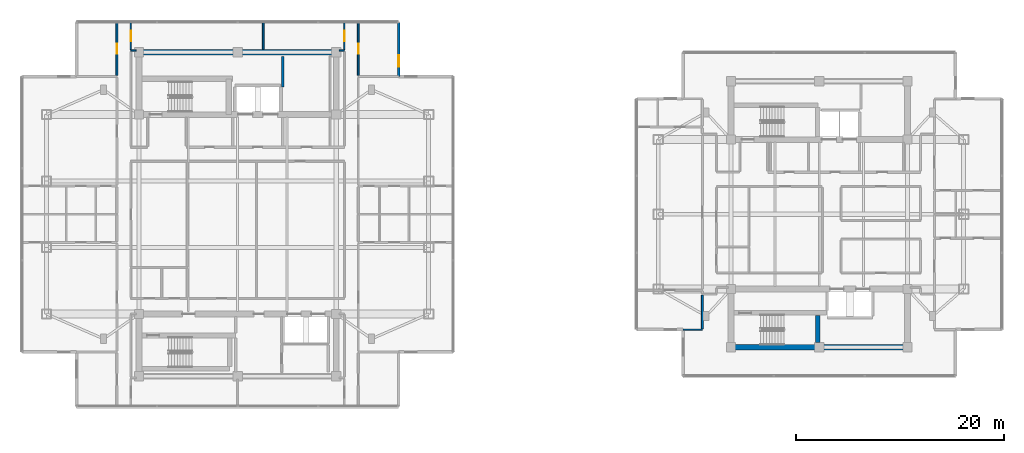
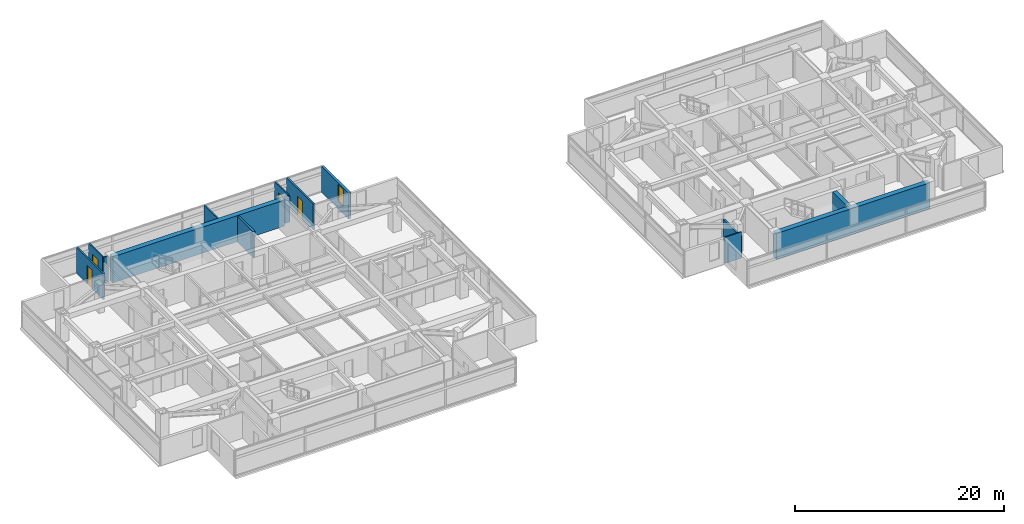
# One storey, part 15 of 24: 14 walls, 4 doors, 1 window, 5 openings.
"""IFC4 building model written with IfcOpenShell, lengths in metres."""

from ifc_helpers import new_model, si_unit, direction, frame, frame_2d, origin, place, context, subcontext, project, spatial, rectangle, extrude, material, layer, layer_set, type_object, element, fill, save


model = new_model("IFC4")

# Units and contexts
model_context = context("Model", 3, precision=1e-05, world=origin(), true_north=direction((0.0, 1.0)))
body_context = subcontext(model_context, "Body", "Model", "MODEL_VIEW")
ifc_project = project(units=[si_unit("LENGTHUNIT", "METRE"), si_unit("AREAUNIT", "SQUARE_METRE"), si_unit("VOLUMEUNIT", "CUBIC_METRE"), si_unit("PLANEANGLEUNIT", "RADIAN"), si_unit("MASSUNIT", "GRAM", prefix="KILO")], contexts=[model_context])

# Site, building, storey
site_placement = place(None, origin())
site = spatial("IfcSite", under=ifc_project, at=site_placement, CompositionType="ELEMENT")
building_placement = place(site_placement, origin())
building = spatial("IfcBuilding", under=site, at=building_placement, Name="Mirazonda Arch Towers", CompositionType="ELEMENT")
storey_placement = place(building_placement, frame((0.0, 0.0, 199.89990234375)))
storey = spatial("IfcBuildingStorey", under=building, at=storey_placement, Name="L57", CompositionType="ELEMENT", Elevation=199.89990234375)

# Walls
ifc_material_1 = material(Name="Concrete C50/60", Category="concrete")
ifc_layer_1 = layer(ifc_material_1, 0.449951171875, Name="WALL-CORE-450")
ifc_layer_set_1 = layer_set([ifc_layer_1], Name="Concrete C50/60")
wall_type_1 = type_object("IfcWallType", Name="WALL-CORE-450", PredefinedType="SHEAR", material=ifc_layer_set_1)
wall_1_placement = place(storey_placement, frame((76.360107421875, 15.6650390625, 0.0), z_axis=(0.0, 0.0, 1.0), x_axis=(0.0, 1.0, 0.0)))
element("IfcWall", 1, at=wall_1_placement, inside=storey, type_object=wall_type_1, Name="L57 Stair Core Shear Wall 123", PredefinedType="SHEAR", context=body_context, shape_type="SweptSolid", body=[
    extrude(rectangle(XDim=2.599853515625, YDim=0.449951171875, at=frame_2d((1.2998046875, 0.0))), origin(), (0.0, 0.0, 1.0), 3.050048828125),
])
ifc_layer_2 = layer(ifc_material_1, 0.550048828125, Name="WALL-CORE-550")
ifc_layer_set_2 = layer_set([ifc_layer_2], Name="Concrete C50/60")
wall_type_2 = type_object("IfcWallType", Name="WALL-CORE-550", PredefinedType="SHEAR", material=ifc_layer_set_2)
wall_2_placement = place(storey_placement, frame((11.0, 43.60009765625, 0.0), z_axis=(0.0, 0.0, 1.0), x_axis=(1.0, 0.0, 0.0)))
element("IfcWall", 2, at=wall_2_placement, inside=storey, type_object=wall_type_2, Name="L57 T1N-N Core Shear Wall", PredefinedType="SHEAR", context=body_context, shape_type="SweptSolid", body=[
    extrude(rectangle(XDim=19.0, YDim=0.550048828125, at=frame_2d((9.5, 0.0))), origin(), (0.0, 0.0, 1.0), 3.050048828125),
])
wall_3_placement = place(storey_placement, frame((68.0, 15.199951171875, 0.0), z_axis=(0.0, 0.0, 1.0), x_axis=(1.0, 0.0, 0.0)))
element("IfcWall", 3, at=wall_3_placement, inside=storey, type_object=wall_type_2, Name="L57 T2S-S Core Shear Wall", PredefinedType="SHEAR", context=body_context, shape_type="SweptSolid", body=[
    extrude(rectangle(XDim=17.0, YDim=0.550048828125, at=frame_2d((8.5, 0.0))), origin(), (0.0, 0.0, 1.0), 3.050048828125),
])

# Wall, opening, window
ifc_material_2 = material(Name="Precast Concrete C40/50", Category="concrete")
ifc_layer_3 = layer(ifc_material_2, 0.280029296875, Name="WALL-EXT-WALL-280")
ifc_layer_set_3 = layer_set([ifc_layer_3], Name="Precast Concrete C40/50")
wall_type_3 = type_object("IfcWallType", Name="WALL-EXT-WALL-280", PredefinedType="SOLIDWALL", material=ifc_layer_set_3)
wall_4_placement = place(storey_placement, frame((36.014892578125, 41.264892578125, 0.0), z_axis=(0.0, 0.0, 1.0), x_axis=(0.0, 1.0, 0.0)))
wall_4 = element("IfcWall", 4, at=wall_4_placement, inside=storey, type_object=wall_type_3, Name="L57 T1 Notched NE Corner Wall WL-L57-T1-CNE", PredefinedType="SOLIDWALL", context=body_context, shape_type="SweptSolid", body=[
    extrude(rectangle(XDim=5.215087890625, YDim=0.280029296875, at=frame_2d((2.607421875, 0.0))), origin(), (0.0, 0.0, 1.0), 3.030029296875),
])
opening_1_placement = place(wall_4_placement, frame((0.949951171875, 0.0, 0.85009765625)))
opening_1 = element("IfcOpeningElement", 5, at=opening_1_placement, cuts=wall_4, Name="Opening WN-108", PredefinedType="OPENING", context=body_context, shape_type="SweptSolid", body=[
    extrude(rectangle(XDim=1.10009765625, YDim=2.0, at=frame_2d((0.550048828125, 1.0))), frame((0.0, 0.14990234375, 0.0), z_axis=(0.0, -1.0, 0.0), x_axis=(1.0, 0.0, 0.0)), (0.0, 0.0, 1.0), 0.300048828125),
])
ifc_material_3 = material(Name="Insulated Low-E Solar Glass", Category="glass")
window_type = type_object("IfcWindowType", Name="WIN-NOTCH-1100x2000", PartitioningType="SINGLE_PANEL", PredefinedType="WINDOW", material=ifc_material_3)
window_placement = place(opening_1_placement, origin())
window = element("IfcWindow", 6, at=window_placement, inside=storey, type_object=window_type, Name="L57 Punched Facade Window WN-L57-T1-CNE", OverallHeight=2.0, OverallWidth=1.10009765625, PartitioningType="SINGLE_PANEL", PredefinedType="WINDOW", context=body_context, shape_type="SweptSolid", body=[
    extrude(rectangle(XDim=1.10009765625, YDim=2.0, at=frame_2d((0.550048828125, 1.0))), frame((0.0, 0.030029296875, 0.0), z_axis=(0.0, -1.0, 0.0), x_axis=(1.0, 0.0, 0.0)), (0.0, 0.0, 1.0), 0.06005859375),
])
fill(opening_1, window)

# Walls
ifc_material_4 = material(Name="Concrete C40/50", Category="concrete")
ifc_layer_4 = layer(ifc_material_4, 0.219970703125, Name="WALL-FFL-220")
ifc_layer_set_4 = layer_set([ifc_layer_4], Name="Concrete C40/50")
wall_type_4 = type_object("IfcWallType", Name="WALL-FFL-220", PredefinedType="SOLIDWALL", material=ifc_layer_set_4)
wall_5_placement = place(storey_placement, frame((24.85009765625, 40.260009765625, 0.0), z_axis=(0.0, 0.0, 1.0), x_axis=(0.0, 1.0, 0.0)))
element("IfcWall", 7, at=wall_5_placement, inside=storey, type_object=wall_type_4, Name="L57 Interior Partition 087", PredefinedType="SOLIDWALL", context=body_context, shape_type="SweptSolid", body=[
    extrude(rectangle(XDim=2.93994140625, YDim=0.219970703125, at=frame_2d((1.469970703125, 0.0))), origin(), (0.0, 0.0, 1.0), 3.050048828125),
])
ifc_material_5 = material(Name="Fire-Rated Gypsum Stud Partition")
ifc_layer_5 = layer(ifc_material_5, 0.14990234375, Name="WALL-PART-CORR-150")
ifc_layer_set_5 = layer_set([ifc_layer_5], Name="Fire-Rated Gypsum Stud Partition")
wall_type_5 = type_object("IfcWallType", Name="WALL-PART-CORR-150", PredefinedType="PARTITIONING", material=ifc_layer_set_5)
for number, where, z_axis, x_axis, name in (
    (8, (10.219970703125, 43.75, 0.0), (0.0, 0.0, 1.0), (1.0, 0.0, 0.0), "L57 Interior Partition 052"),
    (9, (30.27001953125, 43.75, 0.0), (0.0, 0.0, 1.0), (1.0, 0.0, 0.0), "L57 Interior Partition 053"),
):
    element("IfcWall", number, at=place(storey_placement, frame(where, z_axis=z_axis, x_axis=x_axis)), inside=storey, type_object=wall_type_5, Name=name, PredefinedType="PARTITIONING", context=body_context, shape_type="SweptSolid", body=[
        extrude(rectangle(XDim=0.510009765625, YDim=0.14990234375, at=frame_2d((0.2548828125, 0.0))), origin(), (0.0, 0.0, 1.0), 3.050048828125),
    ])

# Wall, opening, door
wall_6_placement = place(storey_placement, frame((10.219970703125, 43.8349609375, 0.0), z_axis=(0.0, 0.0, 1.0), x_axis=(0.0, 1.0, 0.0)))
wall_6 = element("IfcWall", 10, at=wall_6_placement, inside=storey, type_object=wall_type_5, Name="L57 Interior Partition 069", PredefinedType="PARTITIONING", context=body_context, shape_type="SweptSolid", body=[
    extrude(rectangle(XDim=2.64501953125, YDim=0.14990234375, at=frame_2d((1.322509765625, 0.0))), origin(), (0.0, 0.0, 1.0), 3.050048828125),
])
opening_2_placement = place(wall_6_placement, frame((0.797607421875, 0.0, 0.0)))
opening_2 = element("IfcOpeningElement", 11, at=opening_2_placement, cuts=wall_6, Name="Opening DR-121", PredefinedType="OPENING", context=body_context, shape_type="SweptSolid", body=[
    extrude(rectangle(XDim=1.050048828125, YDim=2.199951171875, at=frame_2d((0.52490234375, 1.10009765625))), frame((0.0, 0.0849609375, 0.0), z_axis=(0.0, -1.0, 0.0), x_axis=(1.0, 0.0, 0.0)), (0.0, 0.0, 1.0), 0.169921875),
])
ifc_material_6 = material(Name="Architectural Brushed Steel S355", Category="steel")
door_type_1 = type_object("IfcDoorType", Name="DOOR-SUITE-FD60-1050", OperationType="NOTDEFINED", PredefinedType="DOOR", material=ifc_material_6)
door_1_placement = place(opening_2_placement, origin())
door_1 = element("IfcDoor", 12, at=door_1_placement, inside=storey, type_object=door_type_1, Name="L57 North Bay Sunroom West Door", OperationType="SINGLE_SWING_LEFT", OverallHeight=2.199951171875, OverallWidth=1.050048828125, PredefinedType="DOOR", context=body_context, shape_type="SweptSolid", body=[
    extrude(rectangle(XDim=1.050048828125, YDim=2.199951171875, at=frame_2d((0.52490234375, 1.10009765625))), frame((0.0, 0.02490234375, 0.0), z_axis=(0.0, -1.0, 0.0), x_axis=(1.0, 0.0, 0.0)), (0.0, 0.0, 1.0), 0.050048828125),
])
fill(opening_2, door_1)

# Wall
wall_7_placement = place(storey_placement, frame((22.967041015625, 43.8701171875, 0.0), z_axis=(0.0, 0.0, 1.0), x_axis=(0.0, 1.0, 0.0)))
element("IfcWall", 13, at=wall_7_placement, inside=storey, type_object=wall_type_5, Name="L57 Interior Partition 082", PredefinedType="PARTITIONING", context=body_context, shape_type="SweptSolid", body=[
    extrude(rectangle(XDim=2.60986328125, YDim=0.14990234375, at=frame_2d((1.304931640625, 0.0))), origin(), (0.0, 0.0, 1.0), 3.050048828125),
])

# Wall, opening, door
wall_8_placement = place(storey_placement, frame((30.780029296875, 43.8349609375, 0.0), z_axis=(0.0, 0.0, 1.0), x_axis=(0.0, 1.0, 0.0)))
wall_8 = element("IfcWall", 14, at=wall_8_placement, inside=storey, type_object=wall_type_5, Name="L57 Interior Partition 096", PredefinedType="PARTITIONING", context=body_context, shape_type="SweptSolid", body=[
    extrude(rectangle(XDim=2.64501953125, YDim=0.14990234375, at=frame_2d((1.322509765625, 0.0))), origin(), (0.0, 0.0, 1.0), 3.050048828125),
])
opening_3_placement = place(wall_8_placement, frame((0.797607421875, 0.0, 0.0)))
opening_3 = element("IfcOpeningElement", 15, at=opening_3_placement, cuts=wall_8, Name="Opening DR-121", PredefinedType="OPENING", context=body_context, shape_type="SweptSolid", body=[
    extrude(rectangle(XDim=1.050048828125, YDim=2.199951171875, at=frame_2d((0.52490234375, 1.10009765625))), frame((0.0, 0.0849609375, 0.0), z_axis=(0.0, -1.0, 0.0), x_axis=(1.0, 0.0, 0.0)), (0.0, 0.0, 1.0), 0.169921875),
])
door_2_placement = place(opening_3_placement, origin())
door_2 = element("IfcDoor", 16, at=door_2_placement, inside=storey, type_object=door_type_1, Name="L57 North Bay Sunroom East Door", OperationType="SINGLE_SWING_RIGHT", OverallHeight=2.199951171875, OverallWidth=1.050048828125, PredefinedType="DOOR", context=body_context, shape_type="SweptSolid", body=[
    extrude(rectangle(XDim=1.050048828125, YDim=2.199951171875, at=frame_2d((0.52490234375, 1.10009765625))), frame((0.0, 0.02490234375, 0.0), z_axis=(0.0, -1.0, 0.0), x_axis=(1.0, 0.0, 0.0)), (0.0, 0.0, 1.0), 0.050048828125),
])
fill(opening_3, door_2)

ifc_material_7 = material(Name="Fire-Rated Gypsum Twin-Stud Assembly")
ifc_layer_6 = layer(ifc_material_7, 0.179931640625, Name="WALL-PART-DEMISE-180")
ifc_layer_set_6 = layer_set([ifc_layer_6], Name="Fire-Rated Gypsum Twin-Stud Assembly")
wall_type_6 = type_object("IfcWallType", Name="WALL-PART-DEMISE-180", PredefinedType="PARTITIONING", material=ifc_layer_set_6)
wall_9_placement = place(storey_placement, frame((8.8798828125, 41.364990234375, 0.0), z_axis=(0.0, 0.0, 1.0), x_axis=(0.0, 1.0, 0.0)))
wall_9 = element("IfcWall", 17, at=wall_9_placement, inside=storey, type_object=wall_type_6, Name="L57 Interior Partition 063", PredefinedType="PARTITIONING", context=body_context, shape_type="SweptSolid", body=[
    extrude(rectangle(XDim=5.114990234375, YDim=0.179931640625, at=frame_2d((2.5576171875, 0.0))), origin(), (0.0, 0.0, 1.0), 3.050048828125),
])
opening_4_placement = place(wall_9_placement, frame((2.08251953125, 0.0, 0.0)))
opening_4 = element("IfcOpeningElement", 18, at=opening_4_placement, cuts=wall_9, Name="Opening DR-104", PredefinedType="OPENING", context=body_context, shape_type="SweptSolid", body=[
    extrude(rectangle(XDim=0.949951171875, YDim=2.14990234375, at=frame_2d((0.47509765625, 1.074951171875))), frame((0.0, 0.099853515625, 0.0), z_axis=(0.0, -1.0, 0.0), x_axis=(1.0, 0.0, 0.0)), (0.0, 0.0, 1.0), 0.199951171875),
])
door_type_2 = type_object("IfcDoorType", Name="DOOR-ROOM-950", OperationType="NOTDEFINED", PredefinedType="DOOR", material=ifc_material_6)
door_3_placement = place(opening_4_placement, origin())
door_3 = element("IfcDoor", 19, at=door_3_placement, inside=storey, type_object=door_type_2, Name="L57 North Bay Sunroom Alcove West Door", OperationType="SINGLE_SWING_LEFT", OverallHeight=2.14990234375, OverallWidth=0.949951171875, PredefinedType="DOOR", context=body_context, shape_type="SweptSolid", body=[
    extrude(rectangle(XDim=0.949951171875, YDim=2.14990234375, at=frame_2d((0.47509765625, 1.074951171875))), frame((0.0, 0.02490234375, 0.0), z_axis=(0.0, -1.0, 0.0), x_axis=(1.0, 0.0, 0.0)), (0.0, 0.0, 1.0), 0.050048828125),
])
fill(opening_4, door_3)

wall_10_placement = place(storey_placement, frame((32.1201171875, 41.364990234375, 0.0), z_axis=(0.0, 0.0, 1.0), x_axis=(0.0, 1.0, 0.0)))
wall_10 = element("IfcWall", 20, at=wall_10_placement, inside=storey, type_object=wall_type_6, Name="L57 Interior Partition 102", PredefinedType="PARTITIONING", context=body_context, shape_type="SweptSolid", body=[
    extrude(rectangle(XDim=5.114990234375, YDim=0.179931640625, at=frame_2d((2.5576171875, 0.0))), origin(), (0.0, 0.0, 1.0), 3.050048828125),
])
opening_5_placement = place(wall_10_placement, frame((2.08251953125, 0.0, 0.0)))
opening_5 = element("IfcOpeningElement", 21, at=opening_5_placement, cuts=wall_10, Name="Opening DR-104", PredefinedType="OPENING", context=body_context, shape_type="SweptSolid", body=[
    extrude(rectangle(XDim=0.949951171875, YDim=2.14990234375, at=frame_2d((0.47509765625, 1.074951171875))), frame((0.0, 0.099853515625, 0.0), z_axis=(0.0, -1.0, 0.0), x_axis=(1.0, 0.0, 0.0)), (0.0, 0.0, 1.0), 0.199951171875),
])
door_4_placement = place(opening_5_placement, origin())
door_4 = element("IfcDoor", 22, at=door_4_placement, inside=storey, type_object=door_type_2, Name="L57 North Bay Sunroom Alcove East Door", OperationType="SINGLE_SWING_RIGHT", OverallHeight=2.14990234375, OverallWidth=0.949951171875, PredefinedType="DOOR", context=body_context, shape_type="SweptSolid", body=[
    extrude(rectangle(XDim=0.949951171875, YDim=2.14990234375, at=frame_2d((0.47509765625, 1.074951171875))), frame((0.0, 0.02490234375, 0.0), z_axis=(0.0, -1.0, 0.0), x_axis=(1.0, 0.0, 0.0)), (0.0, 0.0, 1.0), 0.050048828125),
])
fill(opening_5, door_4)

# Walls
wall_11_placement = place(storey_placement, frame((65.25, 16.95751953125, 0.0), z_axis=(0.0, 0.0, 1.0), x_axis=(0.0, 1.0, 0.0)))
element("IfcWall", 23, at=wall_11_placement, inside=storey, type_object=wall_type_6, Name="L57 Interior Partition 108", PredefinedType="PARTITIONING", context=body_context, shape_type="SweptSolid", body=[
    extrude(rectangle(XDim=3.257568359375, YDim=0.179931640625, at=frame_2d((1.62890625, 0.0))), origin(), (0.0, 0.0, 1.0), 2.4931640625),
])
ifc_material_8 = material(Name="Acoustic Fire-Rated Gypsum Partition")
ifc_layer_7 = layer(ifc_material_8, 0.125, Name="WALL-PART-UNIT-125")
ifc_layer_set_7 = layer_set([ifc_layer_7], Name="Acoustic Fire-Rated Gypsum Partition")
wall_type_7 = type_object("IfcWallType", Name="WALL-PART-UNIT-125", PredefinedType="PARTITIONING", material=ifc_layer_set_7)
wall_12_placement = place(storey_placement, frame((63.39208984375, 16.885009765625, 0.0), z_axis=(0.0, 0.0, 1.0), x_axis=(1.0, 0.0, 0.0)))
element("IfcWall", 24, at=wall_12_placement, inside=storey, type_object=wall_type_7, Name="L57 Interior Partition 008", PredefinedType="PARTITIONING", context=body_context, shape_type="SweptSolid", body=[
    extrude(rectangle(XDim=1.85791015625, YDim=0.125, at=frame_2d((0.928955078125, 0.0))), origin(), (0.0, 0.0, 1.0), 3.050048828125),
])

save(model, "model.ifc")
